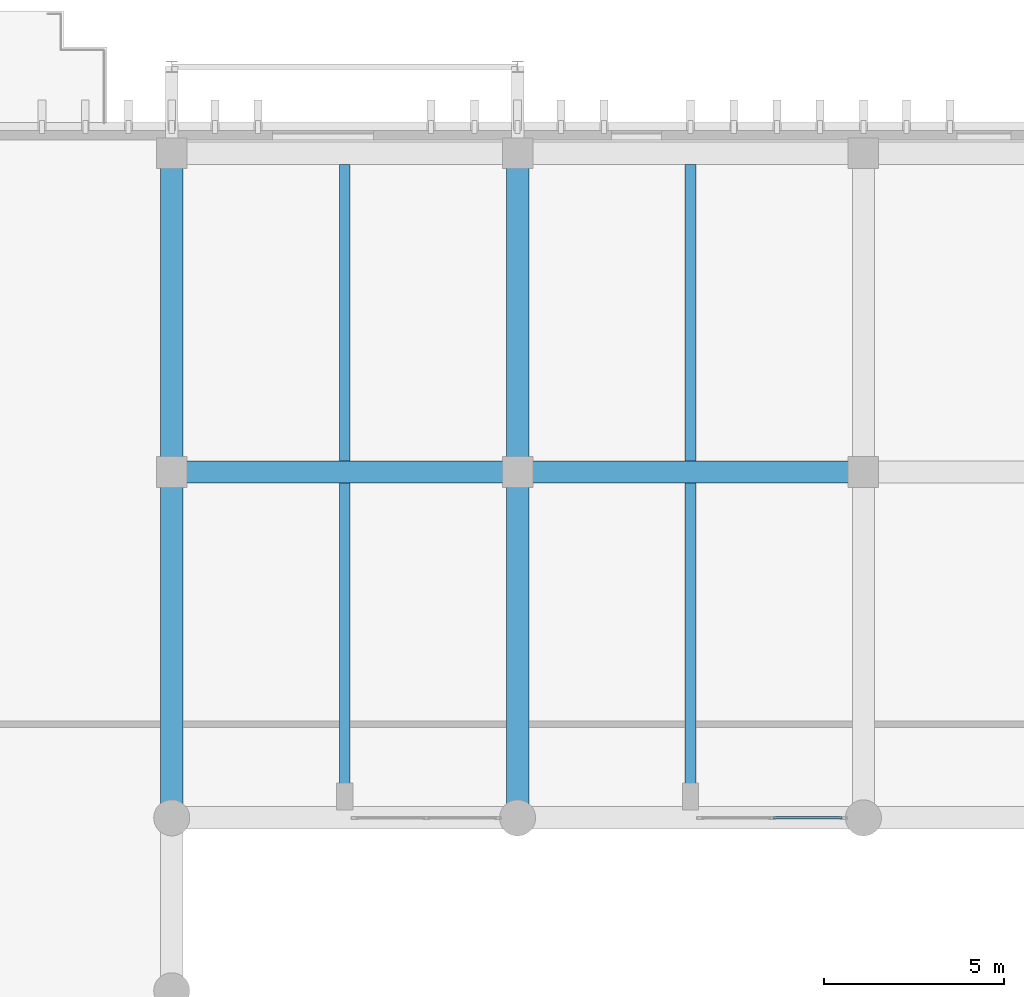
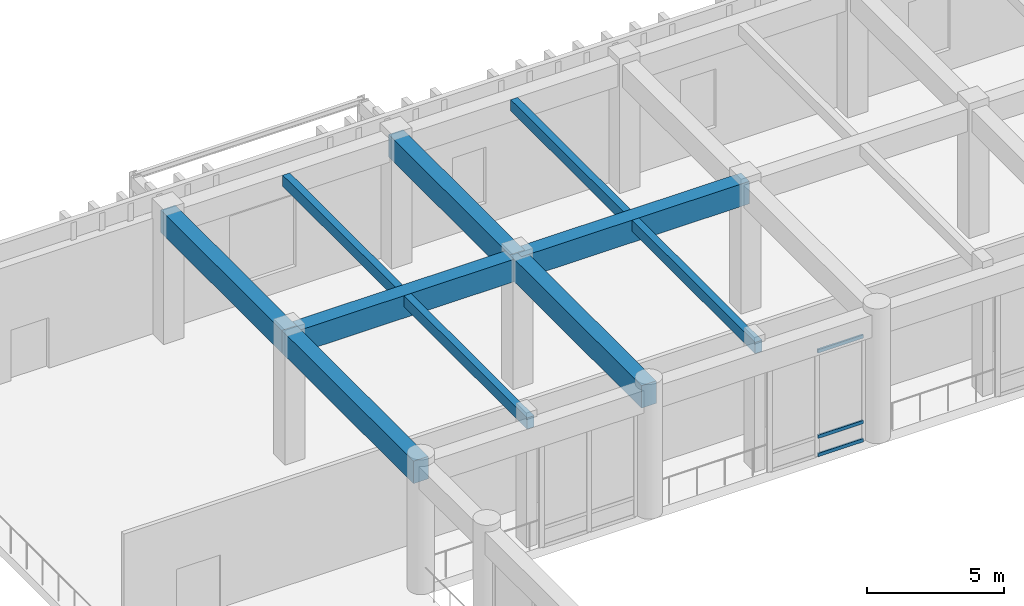
# One storey, part 30 of 87: 10 beams, 3 members, 1 element without a shape of its own.
"""IFC4 building model written with IfcOpenShell, lengths in metres."""

from ifc_helpers import new_model, si_unit, direction, frame, origin, origin_2d, place, context, subcontext, project, spatial, rectangle, hollow_rectangle, extrude, material, layer, layer_set, material_profile, profile_set, type_object, element, aggregate, save


model = new_model("IFC4")

# Units and contexts
model_context = context("Model", 3, precision=1e-05, world=origin(), true_north=direction((0.0, 1.0)))
body_context = subcontext(model_context, "Body", "Model", "MODEL_VIEW")
ifc_project = project(units=[si_unit("LENGTHUNIT", "METRE"), si_unit("AREAUNIT", "SQUARE_METRE"), si_unit("VOLUMEUNIT", "CUBIC_METRE"), si_unit("PLANEANGLEUNIT", "RADIAN"), si_unit("MASSUNIT", "GRAM", prefix="KILO")], contexts=[model_context])

# Site, building, storey
site_placement = place(None, origin())
site = spatial("IfcSite", under=ifc_project, at=site_placement, CompositionType="ELEMENT")
building_placement = place(site_placement, origin())
building = spatial("IfcBuilding", under=site, at=building_placement, Name="Nakhvara Creek Congress Hotel", CompositionType="ELEMENT")
storey_placement = place(building_placement, origin())
storey = spatial("IfcBuildingStorey", under=building, at=storey_placement, Name="L00", CompositionType="ELEMENT", Elevation=0.0)

# Beams
ifc_material_1 = material(Name="Concrete C40/50", Category="concrete")
ifc_material_profile_1 = material_profile(ifc_material_1, rectangle(XDim=0.300048828125, YDim=0.5, at=origin_2d()), Name="RC-BM 300x500", Category="LoadBearing")
ifc_profile_set_1 = profile_set([ifc_material_profile_1], Name="Concrete C40/50")
beam_type_1 = type_object("IfcBeamType", Name="BM-JST-300X500", PredefinedType="JOIST", material=ifc_profile_set_1)
beam_1_placement = place(storey_placement, frame((81.60009765625, 77.110107421875, 5.449951171875), z_axis=(0.0, 1.0, 0.0), x_axis=(-1.0, 0.0, 0.0)))
element("IfcBeam", 1, at=beam_1_placement, inside=storey, type_object=beam_type_1, Name="Secondary Joist BJ1-L00-1035", PredefinedType="JOIST", context=body_context, shape_type="SweptSolid", body=[
    extrude(rectangle(XDim=0.300048828125, YDim=0.5, at=origin_2d()), origin(), (0.0, 0.0, 1.0), 8.97998046875),
])
beam_2_placement = place(storey_placement, frame((81.60009765625, 86.7099609375, 5.449951171875), z_axis=(0.0, 1.0, 0.0), x_axis=(-1.0, 0.0, 0.0)))
element("IfcBeam", 2, at=beam_2_placement, inside=storey, type_object=beam_type_1, Name="Secondary Joist BJ1-L00-1036", PredefinedType="JOIST", context=body_context, shape_type="SweptSolid", body=[
    extrude(rectangle(XDim=0.300048828125, YDim=0.5, at=origin_2d()), origin(), (0.0, 0.0, 1.0), 8.22998046875),
])
beam_3_placement = place(storey_placement, frame((91.199951171875, 77.110107421875, 5.449951171875), z_axis=(0.0, 1.0, 0.0), x_axis=(-1.0, 0.0, 0.0)))
element("IfcBeam", 3, at=beam_3_placement, inside=storey, type_object=beam_type_1, Name="Secondary Joist BJ1-L00-1039", PredefinedType="JOIST", context=body_context, shape_type="SweptSolid", body=[
    extrude(rectangle(XDim=0.300048828125, YDim=0.5, at=origin_2d()), origin(), (0.0, 0.0, 1.0), 8.97998046875),
])
beam_4_placement = place(storey_placement, frame((91.199951171875, 86.7099609375, 5.449951171875), z_axis=(0.0, 1.0, 0.0), x_axis=(-1.0, 0.0, 0.0)))
element("IfcBeam", 4, at=beam_4_placement, inside=storey, type_object=beam_type_1, Name="Secondary Joist BJ1-L00-1040", PredefinedType="JOIST", context=body_context, shape_type="SweptSolid", body=[
    extrude(rectangle(XDim=0.300048828125, YDim=0.5, at=origin_2d()), origin(), (0.0, 0.0, 1.0), 8.22998046875),
])
ifc_material_2 = material(Name="Concrete C50/60", Category="concrete")
ifc_material_profile_2 = material_profile(ifc_material_2, rectangle(XDim=0.6201171875, YDim=1.0, at=origin_2d()), Name="RC-BM 620x1000", Category="LoadBearing")
ifc_profile_set_2 = profile_set([ifc_material_profile_2], Name="Concrete C50/60")
beam_type_2 = type_object("IfcBeamType", Name="BM-RC-620X1000", PredefinedType="BEAM", material=ifc_profile_set_2)
beam_5_placement = place(storey_placement, frame((76.800048828125, 76.800048828125, 5.199951171875), z_axis=(0.0, 1.0, 0.0), x_axis=(-1.0, 0.0, 0.0)))
element("IfcBeam", 5, at=beam_5_placement, inside=storey, type_object=beam_type_2, Name="Beam B16-L00-0824", PredefinedType="BEAM", context=body_context, shape_type="SweptSolid", body=[
    extrude(rectangle(XDim=0.6201171875, YDim=1.0, at=origin_2d()), origin(), (0.0, 0.0, 1.0), 9.599853515625),
])
beam_6_placement = place(storey_placement, frame((76.800048828125, 86.39990234375, 5.199951171875), z_axis=(0.0, 1.0, 0.0), x_axis=(-1.0, 0.0, 0.0)))
element("IfcBeam", 6, at=beam_6_placement, inside=storey, type_object=beam_type_2, Name="Beam B16-L00-0826", PredefinedType="BEAM", context=body_context, shape_type="SweptSolid", body=[
    extrude(rectangle(XDim=0.6201171875, YDim=1.0, at=origin_2d()), origin(), (0.0, 0.0, 1.0), 8.85009765625),
])
for number, where, z_axis, x_axis, name in (
    (7, (76.800048828125, 86.39990234375, 5.199951171875), (1.0, 0.0, 0.0), (0.0, 1.0, 0.0), "Beam B16-L00-0827"),
    (8, (86.39990234375, 76.800048828125, 5.199951171875), (0.0, 1.0, 0.0), (-1.0, 0.0, 0.0), "Beam B16-L00-0837"),
):
    element("IfcBeam", number, at=place(storey_placement, frame(where, z_axis=z_axis, x_axis=x_axis)), inside=storey, type_object=beam_type_2, Name=name, PredefinedType="BEAM", context=body_context, shape_type="SweptSolid", body=[
        extrude(rectangle(XDim=0.6201171875, YDim=1.0, at=origin_2d()), origin(), (0.0, 0.0, 1.0), 9.599853515625),
    ])
beam_7_placement = place(storey_placement, frame((86.39990234375, 86.39990234375, 5.199951171875), z_axis=(0.0, 1.0, 0.0), x_axis=(-1.0, 0.0, 0.0)))
element("IfcBeam", 9, at=beam_7_placement, inside=storey, type_object=beam_type_2, Name="Beam B16-L00-0839", PredefinedType="BEAM", context=body_context, shape_type="SweptSolid", body=[
    extrude(rectangle(XDim=0.6201171875, YDim=1.0, at=origin_2d()), origin(), (0.0, 0.0, 1.0), 8.85009765625),
])
beam_8_placement = place(storey_placement, frame((86.39990234375, 86.39990234375, 5.199951171875), z_axis=(1.0, 0.0, 0.0), x_axis=(0.0, 1.0, 0.0)))
element("IfcBeam", 10, at=beam_8_placement, inside=storey, type_object=beam_type_2, Name="Beam B16-L00-0840", PredefinedType="BEAM", context=body_context, shape_type="SweptSolid", body=[
    extrude(rectangle(XDim=0.6201171875, YDim=1.0, at=origin_2d()), origin(), (0.0, 0.0, 1.0), 9.60009765625),
])

# Curtain wall, members
ifc_material_3 = material(Name="Bronze-anodised aluminium AW-6063-T6 and double-silver low-E glass", Category="aluminium")
ifc_layer = layer(ifc_material_3, 0.199951171875)
ifc_layer_set = layer_set([ifc_layer], Name="Bronze-anodised aluminium AW-6063-T6 and double-silver low-E glass")
curtain_wall_type = type_object("IfcCurtainWallType", Name="CW-POD-STICK", PredefinedType="NOTDEFINED", material=ifc_layer_set)
curtain_wall_placement = place(storey_placement, origin())
curtain_wall = element("IfcCurtainWall", 11, at=curtain_wall_placement, inside=storey, type_object=curtain_wall_type, Name="Curtain Wall CW004", PredefinedType="NOTDEFINED")
ifc_material_4 = material(Name="Bronze-anodised aluminium AW-6063-T6", Category="aluminium")
ifc_material_profile_3 = material_profile(ifc_material_4, hollow_rectangle(XDim=0.074951171875, YDim=0.14990234375, WallThickness=0.00390625, at=origin_2d()), Name="ALU-TRAN 75x150x4", Category="LoadBearing")
ifc_profile_set_3 = profile_set([ifc_material_profile_3], Name="Bronze-anodised aluminium AW-6063-T6")
member_type = type_object("IfcMemberType", Name="CW-TRAN-150", PredefinedType="USERDEFINED", material=ifc_profile_set_3)
member_1_placement = place(storey_placement, frame((95.409912109375, 76.800048828125, 0.03759765625), z_axis=(-1.0, 0.0, 0.0), x_axis=(0.0, -1.0, 0.0)))
member_1 = element("IfcMember", 12, at=member_1_placement, type_object=member_type, Name="CW004 transom 1.1", ObjectType="TRANSOM", PredefinedType="USERDEFINED", context=body_context, shape_type="SweptSolid", body=[
    extrude(hollow_rectangle(XDim=0.074951171875, YDim=0.14990234375, WallThickness=0.00390625, at=origin_2d()), origin(), (0.0, 0.0, 1.0), 1.909912109375),
])
member_2_placement = place(storey_placement, frame((95.409912109375, 76.800048828125, 0.85009765625), z_axis=(-1.0, 0.0, 0.0), x_axis=(0.0, -1.0, 0.0)))
member_2 = element("IfcMember", 13, at=member_2_placement, type_object=member_type, Name="CW004 transom 1.2", ObjectType="TRANSOM", PredefinedType="USERDEFINED", context=body_context, shape_type="SweptSolid", body=[
    extrude(hollow_rectangle(XDim=0.074951171875, YDim=0.14990234375, WallThickness=0.00390625, at=origin_2d()), origin(), (0.0, 0.0, 1.0), 1.909912109375),
])
member_3_placement = place(storey_placement, frame((95.409912109375, 76.800048828125, 4.654541015625), z_axis=(-1.0, 0.0, 0.0), x_axis=(0.0, -1.0, 0.0)))
member_3 = element("IfcMember", 14, at=member_3_placement, type_object=member_type, Name="CW004 transom 1.3", ObjectType="TRANSOM", PredefinedType="USERDEFINED", context=body_context, shape_type="SweptSolid", body=[
    extrude(hollow_rectangle(XDim=0.074951171875, YDim=0.14990234375, WallThickness=0.00390625, at=origin_2d()), origin(), (0.0, 0.0, 1.0), 1.909912109375),
])
aggregate(curtain_wall, [member_1, member_2, member_3])

save(model, "model.ifc")
